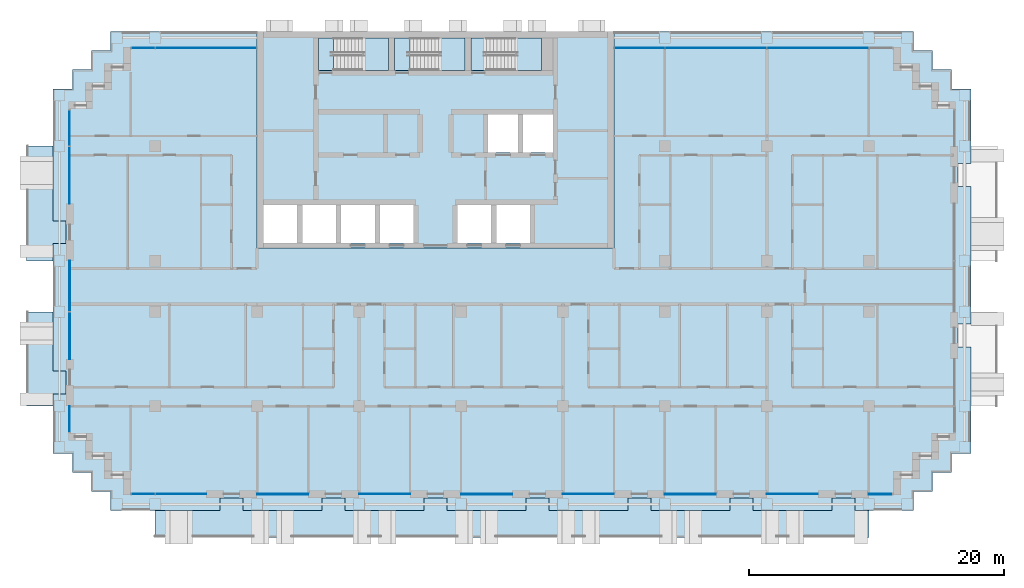
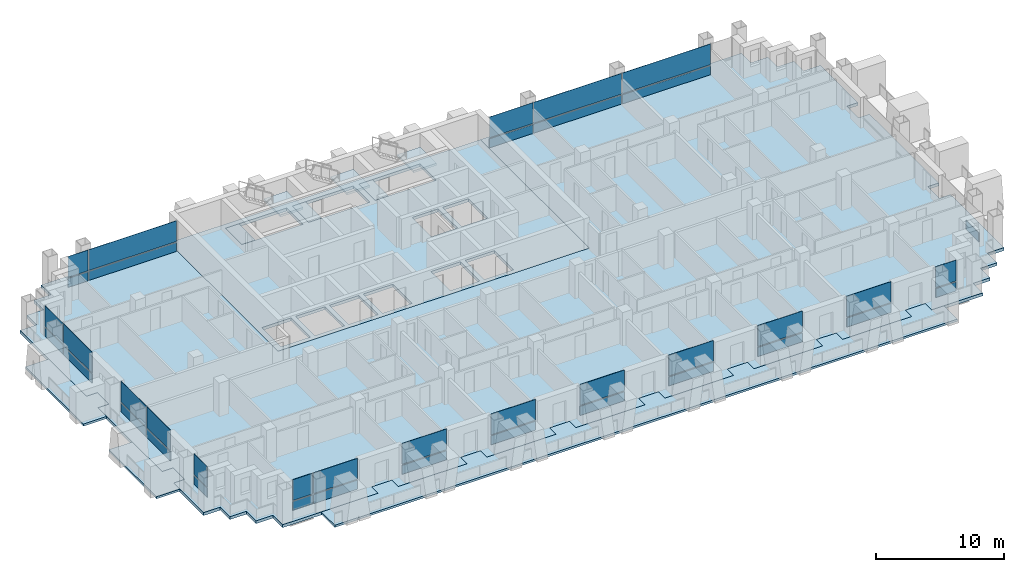
# One storey, part 7 of 18: 39 plates, 11 slabs, 17 elements without a shape of their own.
"""IFC4 building model written with IfcOpenShell, lengths in metres."""

import ifcopenshell
import ifcopenshell.guid

model = None  # the IFC model being written
_history = None  # IfcOwnerHistory: only IFC2X3 demands one
_inside = {}  # id of a spatial element -> (the spatial element, [elements in it])
_under = {}  # id of a project, library or spatial element -> (it, [spatial elements below it])
_declared = {}  # id of a project -> (the project, [libraries it declares])
_typed = {}  # id of a type object -> (the type object, [elements of that type])
_made_of = {}  # id of a material, layer set ... -> (it, [elements and type objects made of it])


def new_model(schema):
    """Start an empty IFC model of exactly this schema.

    Asked for "IFC4X3", IfcOpenShell would pick the latest addendum, in which some entities
    have other attributes; the version numbers below select the first issue.
    IFC2X3 requires an IfcOwnerHistory on every rooted entity: one is made here for all.
    """
    global model, _history
    if schema == "IFC4X3":
        model = ifcopenshell.file(schema_version=(4, 3, 0, 0))
    else:
        model = ifcopenshell.file(schema=schema)
    _inside.clear()
    _under.clear()
    _declared.clear()
    _typed.clear()
    _made_of.clear()
    _history = None
    if model.schema == "IFC2X3":
        org = make("IfcOrganization", Name="unknown")
        user = make(
            "IfcPersonAndOrganization",
            ThePerson=make("IfcPerson", FamilyName="unknown"),
            TheOrganization=org,
        )
        app = make(
            "IfcApplication",
            ApplicationDeveloper=org,
            Version="unknown",
            ApplicationFullName="unknown",
            ApplicationIdentifier="unknown",
        )
        _history = make(
            "IfcOwnerHistory",
            OwningUser=user,
            OwningApplication=app,
            ChangeAction="ADDED",
            CreationDate=0,
        )
    return model


def make(cls, **values):
    """One entity of the class cls with the attributes given. An attribute that is None is left unset."""
    return model.create_entity(
        cls, **{name: value for name, value in values.items() if value is not None}
    )


def rooted(cls, **values):
    """An entity with a GlobalId (a new one), such as an element, a storey or a relation."""
    return make(cls, GlobalId=ifcopenshell.guid.new(), OwnerHistory=_history, **values)


def si_unit(unit_type, name, prefix=None):
    """IfcSIUnit, for example si_unit("LENGTHUNIT", "METRE", prefix="MILLI")."""
    return make("IfcSIUnit", UnitType=unit_type, Prefix=prefix, Name=name)


def assignment(units):
    """IfcUnitAssignment: the units of a project."""
    return None if units is None else make("IfcUnitAssignment", Units=units)


def point(xyz):
    """IfcCartesianPoint."""
    return None if xyz is None else make("IfcCartesianPoint", Coordinates=xyz)


def direction(xyz):
    """IfcDirection."""
    return None if xyz is None else make("IfcDirection", DirectionRatios=xyz)


def frame(location, z_axis=None, x_axis=None):
    """IfcAxis2Placement3D, a coordinate frame: its origin and axes. An axis left out is left unset."""
    return make(
        "IfcAxis2Placement3D",
        Location=point(location),
        Axis=direction(z_axis),
        RefDirection=direction(x_axis),
    )


def frame_2d(location, x_axis=None):
    """IfcAxis2Placement2D, a coordinate frame in the plane: its origin and x axis."""
    return make(
        "IfcAxis2Placement2D", Location=point(location), RefDirection=direction(x_axis)
    )


def origin():
    """The frame at (0, 0, 0) with its axes left unset."""
    return frame((0.0, 0.0, 0.0))


def origin_2d():
    """The frame at (0, 0) in the plane with its x axis left unset."""
    return frame_2d((0.0, 0.0))


def place(relative_to, where):
    """IfcLocalPlacement: puts the frame where relative to a parent placement (None: the world)."""
    return make(
        "IfcLocalPlacement", PlacementRelTo=relative_to, RelativePlacement=where
    )


def context(
    kind, dimensions, precision=None, world=None, true_north=None, identifier=None
):
    """IfcGeometricRepresentationContext, for example the 3D "Model" context."""
    return make(
        "IfcGeometricRepresentationContext",
        ContextIdentifier=identifier,
        ContextType=kind,
        CoordinateSpaceDimension=dimensions,
        Precision=precision,
        WorldCoordinateSystem=world,
        TrueNorth=true_north,
    )


def subcontext(parent, identifier, kind, view, scale=None):
    """IfcGeometricRepresentationSubContext, for example "Body" below "Model"."""
    return make(
        "IfcGeometricRepresentationSubContext",
        ContextIdentifier=identifier,
        ContextType=kind,
        ParentContext=parent,
        TargetScale=scale,
        TargetView=view,
    )


def project(units=None, contexts=None):
    """IfcProject with its units and contexts."""
    return rooted(
        "IfcProject",
        Name="project",
        RepresentationContexts=contexts,
        UnitsInContext=assignment(units),
    )


def spatial(cls, under=None, at=None, **own):
    """A site, building, storey or space (cls), placed at a placement, below another one or the project."""
    s = rooted(cls, ObjectPlacement=at, **own)
    if under is not None:
        _under.setdefault(under.id(), (under, []))[1].append(s)
    return s


def polyline(points):
    """IfcPolyline through the points."""
    return make("IfcPolyline", Points=[point(p) for p in points])


def profile(cls, at=None, kind="AREA", **sizes):
    """A parametric profile (cls). Its sizes go by their IFC names, for example OverallWidth=200.0."""
    return make(cls, ProfileType=kind, Position=at, **sizes)


def rectangle(**sizes):
    """IfcRectangleProfileDef."""
    return profile("IfcRectangleProfileDef", **sizes)


def outline(outer, holes=None, kind="AREA"):
    """IfcArbitraryClosedProfileDef: a profile drawn as a closed curve; with holes, ...WithVoids."""
    if holes is None:
        return make("IfcArbitraryClosedProfileDef", ProfileType=kind, OuterCurve=outer)
    return make(
        "IfcArbitraryProfileDefWithVoids",
        ProfileType=kind,
        OuterCurve=outer,
        InnerCurves=holes,
    )


def extrude(swept, where, along, depth):
    """IfcExtrudedAreaSolid: the profile swept, set in the frame where, extruded along a direction by depth."""
    return make(
        "IfcExtrudedAreaSolid",
        SweptArea=swept,
        Position=where,
        ExtrudedDirection=direction(along),
        Depth=depth,
    )


def shape(context_of_items, identifier, shape_type, items):
    """IfcShapeRepresentation: the items that make up one representation, for example the "Body"."""
    return make(
        "IfcShapeRepresentation",
        ContextOfItems=context_of_items,
        RepresentationIdentifier=identifier,
        RepresentationType=shape_type,
        Items=items,
    )


def material(Name=None, Category=None):
    """IfcMaterial."""
    return make("IfcMaterial", Name=Name, Category=Category)


def layer(
    of_material, thickness, ventilated=None, Name=None, Category=None, Priority=None
):
    """IfcMaterialLayer: one layer of a wall or slab, of a material (None: an air gap)."""
    return make(
        "IfcMaterialLayer",
        Material=of_material,
        LayerThickness=thickness,
        IsVentilated=ventilated,
        Name=Name,
        Category=Category,
        Priority=Priority,
    )


def layer_set(layers, Name=None):
    """IfcMaterialLayerSet."""
    return make("IfcMaterialLayerSet", MaterialLayers=layers, LayerSetName=Name)


def made_of(thing, what):
    """Note that an element or type object is made of a material, layer set ...; save() writes the relation."""
    if what is not None:
        _made_of.setdefault(what.id(), (what, []))[1].append(thing)
    return thing


def type_object(cls, material=None, **own):
    """A type object (cls), such as IfcWallType, which elements share."""
    return made_of(rooted(cls, **own), material)


def element(
    cls,
    number,
    at=None,
    inside=None,
    cuts=None,
    type_object=None,
    material=None,
    context=None,
    identifier="Body",
    shape_type=None,
    held_by="IfcProductDefinitionShape",
    body=None,
    shapes=None,
    **own,
):
    """One element of the class cls, such as IfcWall. Its Tag is "e" and its number.

    at: its placement. inside: the storey or other place that contains it. cuts: it is an
    opening in that element (IfcRelVoidsElement). A single representation is given by context,
    identifier, shape_type and body (its items); several are given by shapes. held_by: the class
    of the entity that holds the representations. save() writes the other relations.
    """
    e = rooted(cls, Tag="e%d" % number, ObjectPlacement=at, **own)
    if body is not None:
        shapes = [shape(context, identifier, shape_type, body)]
    if shapes is not None:
        e.Representation = make(held_by, Representations=shapes)
    if inside is not None:
        _inside.setdefault(inside.id(), (inside, []))[1].append(e)
    if cuts is not None:
        rooted(
            "IfcRelVoidsElement", RelatingBuildingElement=cuts, RelatedOpeningElement=e
        )
    if type_object is not None:
        _typed.setdefault(type_object.id(), (type_object, []))[1].append(e)
    return made_of(e, material)


def aggregate(whole, parts):
    """IfcRelAggregates: a whole, such as a stair, and the parts it consists of."""
    return rooted("IfcRelAggregates", RelatingObject=whole, RelatedObjects=parts)


def save(model, path):
    """Write the relations noted so far, then the file.

    IfcRelAggregates (storeys below a building ...), IfcRelContainedInSpatialStructure (elements
    in a storey), IfcRelDefinesByType, IfcRelAssociatesMaterial and IfcRelDeclares: one each for
    every whole, place, type object, material and project.
    """
    for whole, parts in _under.values():
        aggregate(whole, parts)
    for where, things in _inside.values():
        rooted(
            "IfcRelContainedInSpatialStructure",
            RelatedElements=things,
            RelatingStructure=where,
        )
    for kind, things in _typed.values():
        rooted("IfcRelDefinesByType", RelatedObjects=things, RelatingType=kind)
    for what, things in _made_of.values():
        rooted("IfcRelAssociatesMaterial", RelatedObjects=things, RelatingMaterial=what)
    for by, libraries in _declared.values():
        rooted("IfcRelDeclares", RelatingContext=by, RelatedDefinitions=libraries)
    model.write(path)


model = new_model("IFC4")

# Units and contexts
model_context = context("Model", 3, precision=1e-05, world=origin(), true_north=direction((0.0, 1.0)))
body_context = subcontext(model_context, "Body", "Model", "MODEL_VIEW")
ifc_project = project(units=[si_unit("LENGTHUNIT", "METRE"), si_unit("AREAUNIT", "SQUARE_METRE"), si_unit("VOLUMEUNIT", "CUBIC_METRE"), si_unit("PLANEANGLEUNIT", "RADIAN"), si_unit("MASSUNIT", "GRAM", prefix="KILO")], contexts=[model_context])

# Site, building, storey
site_placement = place(None, origin())
site = spatial("IfcSite", under=ifc_project, at=site_placement, CompositionType="ELEMENT")
building_placement = place(site_placement, origin())
building = spatial("IfcBuilding", under=site, at=building_placement, Name="Vidyagriha Tower", CompositionType="ELEMENT")
storey_placement = place(building_placement, frame((0.0, 0.0, 83.89990234375)))
storey = spatial("IfcBuildingStorey", under=building, at=storey_placement, Name="L21", CompositionType="ELEMENT", Elevation=83.89990234375)

# Curtain wall, plate
ifc_material_1 = material(Name="Aluminium and glass curtain wall", Category="aluminium")
curtain_wall_type = type_object("IfcCurtainWallType", Name="Dwelling skin unitised curtain wall", PredefinedType="USERDEFINED", material=ifc_material_1)
curtain_wall_1_placement = place(storey_placement, origin())
curtain_wall_1 = element("IfcCurtainWall", 1, at=curtain_wall_1_placement, inside=storey, type_object=curtain_wall_type, Name="CW1 dwelling skin", ObjectType="UNITISED", PredefinedType="USERDEFINED")
ifc_material_2 = material(Name="Glass dark ceramic-fritted spandrel", Category="glass")
ifc_layer_1 = layer(ifc_material_2, 0.0400390625)
ifc_layer_set_1 = layer_set([ifc_layer_1], Name="Glass dark ceramic-fritted spandrel")
plate_type_1 = type_object("IfcPlateType", Name="Ceramic-fritted spandrel panel", PredefinedType="CURTAIN_PANEL", material=ifc_layer_set_1)
plate_1_placement = place(storey_placement, frame((22.0, 18.699951171875, 0.0), z_axis=(0.0, 0.0, 1.0), x_axis=(-1.0, 0.0, 0.0)))
plate_1 = element("IfcPlate", 2, at=plate_1_placement, type_object=plate_type_1, Name="CW1 panel 3.1", PredefinedType="CURTAIN_PANEL", context=body_context, shape_type="SweptSolid", body=[
    extrude(rectangle(XDim=7.929931640625, YDim=0.0400390625, at=origin_2d()), origin(), (0.0, 0.0, 1.0), 0.85009765625),
])

curtain_wall_2_placement = place(storey_placement, origin())
curtain_wall_2 = element("IfcCurtainWall", 3, at=curtain_wall_2_placement, inside=storey, type_object=curtain_wall_type, Name="CW1 dwelling skin", ObjectType="UNITISED", PredefinedType="USERDEFINED")
plate_2_placement = place(storey_placement, frame((-18.017578125, 18.699951171875, 0.0), z_axis=(0.0, 0.0, 1.0), x_axis=(-1.0, 0.0, 0.0)))
plate_2 = element("IfcPlate", 4, at=plate_2_placement, type_object=plate_type_1, Name="CW1 panel 1.1", PredefinedType="CURTAIN_PANEL", context=body_context, shape_type="SweptSolid", body=[
    extrude(rectangle(XDim=7.89501953125, YDim=0.0400390625, at=origin_2d()), origin(), (0.0, 0.0, 1.0), 0.85009765625),
])

# Curtain wall, plates
curtain_wall_3_placement = place(storey_placement, origin())
curtain_wall_3 = element("IfcCurtainWall", 5, at=curtain_wall_3_placement, inside=storey, type_object=curtain_wall_type, Name="CW1 dwelling skin", ObjectType="UNITISED", PredefinedType="USERDEFINED")
plate_3_placement = place(storey_placement, frame((-28.699951171875, 12.4326171875, 0.0), z_axis=(0.0, 0.0, 1.0), x_axis=(0.0, -1.0, 0.0)))
plate_3 = element("IfcPlate", 6, at=plate_3_placement, type_object=plate_type_1, Name="CW1 panel 1.1", PredefinedType="CURTAIN_PANEL", context=body_context, shape_type="SweptSolid", body=[
    extrude(rectangle(XDim=2.794921875, YDim=0.0400390625, at=origin_2d()), origin(), (0.0, 0.0, 1.0), 0.85009765625),
])
plate_4_placement = place(storey_placement, frame((-28.699951171875, 8.732421875, 0.0), z_axis=(0.0, 0.0, 1.0), x_axis=(0.0, -1.0, 0.0)))
plate_4 = element("IfcPlate", 7, at=plate_4_placement, type_object=plate_type_1, Name="CW1 panel 2.1", PredefinedType="CURTAIN_PANEL", context=body_context, shape_type="SweptSolid", body=[
    extrude(rectangle(XDim=4.465087890625, YDim=0.0400390625, at=origin_2d()), origin(), (0.0, 0.0, 1.0), 0.85009765625),
])

# Curtain wall, plate
curtain_wall_4_placement = place(storey_placement, origin())
curtain_wall_4 = element("IfcCurtainWall", 8, at=curtain_wall_4_placement, inside=storey, type_object=curtain_wall_type, Name="CW1 dwelling skin", ObjectType="UNITISED", PredefinedType="USERDEFINED")
plate_5_placement = place(storey_placement, frame((-28.699951171875, -10.4150390625, 0.0), z_axis=(0.0, 0.0, 1.0), x_axis=(0.0, -1.0, 0.0)))
plate_5 = element("IfcPlate", 9, at=plate_5_placement, type_object=plate_type_1, Name="CW1 panel 1.1", PredefinedType="CURTAIN_PANEL", context=body_context, shape_type="SweptSolid", body=[
    extrude(rectangle(XDim=2.030029296875, YDim=0.0400390625, at=origin_2d()), origin(), (0.0, 0.0, 1.0), 0.85009765625),
])

# Curtain wall, plates
curtain_wall_5_placement = place(storey_placement, origin())
curtain_wall_5 = element("IfcCurtainWall", 10, at=curtain_wall_5_placement, inside=storey, type_object=curtain_wall_type, Name="CW1 dwelling skin", ObjectType="UNITISED", PredefinedType="USERDEFINED")
plate_6_placement = place(storey_placement, frame((-22.9326171875, -16.300048828125, 0.0)))
plate_6 = element("IfcPlate", 11, at=plate_6_placement, type_object=plate_type_1, Name="CW1 panel 1.1", PredefinedType="CURTAIN_PANEL", context=body_context, shape_type="SweptSolid", body=[
    extrude(rectangle(XDim=1.794921875, YDim=0.0400390625, at=origin_2d()), origin(), (0.0, 0.0, 1.0), 0.85009765625),
])
plate_7_placement = place(storey_placement, frame((-19.982421875, -16.300048828125, 0.0)))
plate_7 = element("IfcPlate", 12, at=plate_7_placement, type_object=plate_type_1, Name="CW1 panel 2.1", PredefinedType="CURTAIN_PANEL", context=body_context, shape_type="SweptSolid", body=[
    extrude(rectangle(XDim=3.965087890625, YDim=0.0400390625, at=origin_2d()), origin(), (0.0, 0.0, 1.0), 0.85009765625),
])

# Curtain wall, plate
curtain_wall_6_placement = place(storey_placement, origin())
curtain_wall_6 = element("IfcCurtainWall", 13, at=curtain_wall_6_placement, inside=storey, type_object=curtain_wall_type, Name="CW1 dwelling skin", ObjectType="UNITISED", PredefinedType="USERDEFINED")
plate_8_placement = place(storey_placement, frame((-4.0, -16.300048828125, 0.0)))
plate_8 = element("IfcPlate", 14, at=plate_8_placement, type_object=plate_type_1, Name="CW1 panel 1.1", PredefinedType="CURTAIN_PANEL", context=body_context, shape_type="SweptSolid", body=[
    extrude(rectangle(XDim=4.0, YDim=0.0400390625, at=origin_2d()), origin(), (0.0, 0.0, 1.0), 0.85009765625),
])

curtain_wall_7_placement = place(storey_placement, origin())
curtain_wall_7 = element("IfcCurtainWall", 15, at=curtain_wall_7_placement, inside=storey, type_object=curtain_wall_type, Name="CW1 dwelling skin", ObjectType="UNITISED", PredefinedType="USERDEFINED")
plate_9_placement = place(storey_placement, frame((12.0, -16.300048828125, 0.0)))
plate_9 = element("IfcPlate", 16, at=plate_9_placement, type_object=plate_type_1, Name="CW1 panel 1.1", PredefinedType="CURTAIN_PANEL", context=body_context, shape_type="SweptSolid", body=[
    extrude(rectangle(XDim=4.0, YDim=0.0400390625, at=origin_2d()), origin(), (0.0, 0.0, 1.0), 0.85009765625),
])

curtain_wall_8_placement = place(storey_placement, origin())
curtain_wall_8 = element("IfcCurtainWall", 17, at=curtain_wall_8_placement, inside=storey, type_object=curtain_wall_type, Name="CW1 dwelling skin", ObjectType="UNITISED", PredefinedType="USERDEFINED")
plate_10_placement = place(storey_placement, frame((28.0, -16.300048828125, 0.0)))
plate_10 = element("IfcPlate", 18, at=plate_10_placement, type_object=plate_type_1, Name="CW1 panel 1.1", PredefinedType="CURTAIN_PANEL", context=body_context, shape_type="SweptSolid", body=[
    extrude(rectangle(XDim=4.0, YDim=0.0400390625, at=origin_2d()), origin(), (0.0, 0.0, 1.0), 0.85009765625),
])

curtain_wall_9_placement = place(storey_placement, origin())
curtain_wall_9 = element("IfcCurtainWall", 19, at=curtain_wall_9_placement, inside=storey, type_object=curtain_wall_type, Name="CW1 dwelling skin", ObjectType="UNITISED", PredefinedType="USERDEFINED")
plate_11_placement = place(storey_placement, frame((40.699951171875, -10.4326171875, 0.0), z_axis=(0.0, 0.0, 1.0), x_axis=(0.0, 1.0, 0.0)))
plate_11 = element("IfcPlate", 20, at=plate_11_placement, type_object=plate_type_1, Name="CW1 panel 1.1", PredefinedType="CURTAIN_PANEL", context=body_context, shape_type="SweptSolid", body=[
    extrude(rectangle(XDim=1.9951171875, YDim=0.0400390625, at=origin_2d()), origin(), (0.0, 0.0, 1.0), 0.85009765625),
])
aggregate(curtain_wall_9, [plate_11])

# Slab
ifc_material_3 = material(Name="Concrete C60/75", Category="concrete")
ifc_layer_2 = layer(ifc_material_3, 0.280029296875)
ifc_layer_set_2 = layer_set([ifc_layer_2], Name="Concrete C60/75")
slab_type_1 = type_object("IfcSlabType", Name="Core floor slab 280 mm", PredefinedType="FLOOR", material=ifc_layer_set_2)
slab_1_placement = place(storey_placement, frame((0.0, 0.0, -0.27978515625)))
element("IfcSlab", 21, at=slab_1_placement, inside=storey, type_object=slab_type_1, Name="L21 core floor 1", PredefinedType="FLOOR", context=body_context, shape_type="SweptSolid", body=[
    extrude(outline(polyline([(-14.0, 3.0), (-14.0, 20.0), (14.0, 20.0), (14.0, 3.0), (-14.0, 3.0)]), holes=[polyline([(9.199951171875, 13.5), (6.86669921875, 13.5), (6.86669921875, 10.5), (9.199951171875, 10.5), (9.199951171875, 13.5)]), polyline([(4.0, 19.5), (2.800048828125, 19.5), (2.800048828125, 16.949951171875), (4.0, 16.949951171875), (8.300048828125, 16.949951171875), (8.300048828125, 19.5), (4.0, 19.5)]), polyline([(7.4111328125, 6.39990234375), (4.7666015625, 6.39990234375), (4.7666015625, 3.39990234375), (7.4111328125, 3.39990234375), (7.4111328125, 6.39990234375)]), polyline([(6.466796875, 13.5), (4.13330078125, 13.5), (4.13330078125, 10.5), (6.466796875, 10.5), (6.466796875, 13.5)]), polyline([(1.72216796875, 6.39990234375), (1.72216796875, 3.39990234375), (4.36669921875, 3.39990234375), (4.36669921875, 6.39990234375), (1.72216796875, 6.39990234375)]), polyline([(-2.0, 16.949951171875), (2.300048828125, 16.949951171875), (2.300048828125, 19.5), (-2.0, 19.5), (-3.199951171875, 19.5), (-3.199951171875, 16.949951171875), (-2.0, 16.949951171875)]), polyline([(-1.72216796875, 6.39990234375), (-4.36669921875, 6.39990234375), (-4.36669921875, 3.39990234375), (-1.72216796875, 3.39990234375), (-1.72216796875, 6.39990234375)]), polyline([(-8.0, 19.5), (-9.199951171875, 19.5), (-9.199951171875, 16.949951171875), (-8.0, 16.949951171875), (-3.699951171875, 16.949951171875), (-3.699951171875, 19.5), (-8.0, 19.5)]), polyline([(-4.7666015625, 6.39990234375), (-7.4111328125, 6.39990234375), (-7.4111328125, 3.39990234375), (-4.7666015625, 3.39990234375), (-4.7666015625, 6.39990234375)]), polyline([(-7.81103515625, 6.39990234375), (-10.45556640625, 6.39990234375), (-10.45556640625, 3.39990234375), (-7.81103515625, 3.39990234375), (-7.81103515625, 6.39990234375)]), polyline([(-13.5, 6.39990234375), (-13.5, 3.39990234375), (-10.855712890625, 3.39990234375), (-10.855712890625, 6.39990234375), (-13.5, 6.39990234375)])]), origin(), (0.0, 0.0, 1.0), 0.27978515625),
])

# Plate
ifc_material_4 = material(Name="Glass dark ceramic-fritted", Category="glass")
ifc_layer_3 = layer(ifc_material_4, 0.028076171875)
ifc_layer_set_3 = layer_set([ifc_layer_3], Name="Glass dark ceramic-fritted")
plate_type_2 = type_object("IfcPlateType", Name="Dark ceramic-fritted vision glass panel", PredefinedType="CURTAIN_PANEL", material=ifc_layer_set_3)
plate_12_placement = place(storey_placement, frame((30.0, 18.699951171875, 0.9501953125), z_axis=(0.0, 0.0, 1.0), x_axis=(-1.0, 0.0, 0.0)))
plate_12 = element("IfcPlate", 22, at=plate_12_placement, type_object=plate_type_2, Name="CW1 panel 2.2", PredefinedType="CURTAIN_PANEL", context=body_context, shape_type="SweptSolid", body=[
    extrude(rectangle(XDim=7.929931640625, YDim=0.028076171875, at=origin_2d()), origin(), (0.0, 0.0, 1.0), 1.969970703125),
])

plate_13_placement = place(storey_placement, frame((22.0, 18.699951171875, 0.9501953125), z_axis=(0.0, 0.0, 1.0), x_axis=(-1.0, 0.0, 0.0)))
plate_13 = element("IfcPlate", 23, at=plate_13_placement, type_object=plate_type_2, Name="CW1 panel 3.2", PredefinedType="CURTAIN_PANEL", context=body_context, shape_type="SweptSolid", body=[
    extrude(rectangle(XDim=7.929931640625, YDim=0.028076171875, at=origin_2d()), origin(), (0.0, 0.0, 1.0), 1.969970703125),
])

plate_14_placement = place(storey_placement, frame((16.017578125, 18.699951171875, 0.9501953125), z_axis=(0.0, 0.0, 1.0), x_axis=(-1.0, 0.0, 0.0)))
plate_14 = element("IfcPlate", 24, at=plate_14_placement, type_object=plate_type_2, Name="CW1 panel 4.2", PredefinedType="CURTAIN_PANEL", context=body_context, shape_type="SweptSolid", body=[
    extrude(rectangle(XDim=3.89501953125, YDim=0.028076171875, at=origin_2d()), origin(), (0.0, 0.0, 1.0), 1.969970703125),
])

plate_15_placement = place(storey_placement, frame((-18.017578125, 18.699951171875, 0.9501953125), z_axis=(0.0, 0.0, 1.0), x_axis=(-1.0, 0.0, 0.0)))
plate_15 = element("IfcPlate", 25, at=plate_15_placement, type_object=plate_type_2, Name="CW1 panel 1.2", PredefinedType="CURTAIN_PANEL", context=body_context, shape_type="SweptSolid", body=[
    extrude(rectangle(XDim=7.89501953125, YDim=0.028076171875, at=origin_2d()), origin(), (0.0, 0.0, 1.0), 1.969970703125),
])

plate_16_placement = place(storey_placement, frame((-22.9326171875, 18.699951171875, 0.9501953125), z_axis=(0.0, 0.0, 1.0), x_axis=(-1.0, 0.0, 0.0)))
plate_16 = element("IfcPlate", 26, at=plate_16_placement, type_object=plate_type_2, Name="CW1 panel 2.2", PredefinedType="CURTAIN_PANEL", context=body_context, shape_type="SweptSolid", body=[
    extrude(rectangle(XDim=1.794921875, YDim=0.028076171875, at=origin_2d()), origin(), (0.0, 0.0, 1.0), 1.969970703125),
])

plate_17_placement = place(storey_placement, frame((-28.699951171875, 12.4326171875, 0.9501953125), z_axis=(0.0, 0.0, 1.0), x_axis=(0.0, -1.0, 0.0)))
plate_17 = element("IfcPlate", 27, at=plate_17_placement, type_object=plate_type_2, Name="CW1 panel 1.2", PredefinedType="CURTAIN_PANEL", context=body_context, shape_type="SweptSolid", body=[
    extrude(rectangle(XDim=2.794921875, YDim=0.028076171875, at=origin_2d()), origin(), (0.0, 0.0, 1.0), 1.969970703125),
])

plate_18_placement = place(storey_placement, frame((-28.699951171875, 8.732421875, 0.9501953125), z_axis=(0.0, 0.0, 1.0), x_axis=(0.0, -1.0, 0.0)))
plate_18 = element("IfcPlate", 28, at=plate_18_placement, type_object=plate_type_2, Name="CW1 panel 2.2", PredefinedType="CURTAIN_PANEL", context=body_context, shape_type="SweptSolid", body=[
    extrude(rectangle(XDim=4.465087890625, YDim=0.028076171875, at=origin_2d()), origin(), (0.0, 0.0, 1.0), 1.969970703125),
])

aggregate(curtain_wall_3, [plate_3, plate_17, plate_4, plate_18])

# Curtain wall, plates
curtain_wall_10_placement = place(storey_placement, origin())
curtain_wall_10 = element("IfcCurtainWall", 29, at=curtain_wall_10_placement, inside=storey, type_object=curtain_wall_type, Name="CW1 dwelling skin", ObjectType="UNITISED", PredefinedType="USERDEFINED")
plate_19_placement = place(storey_placement, frame((-28.699951171875, 0.017578125, 0.9501953125), z_axis=(0.0, 0.0, 1.0), x_axis=(0.0, -1.0, 0.0)))
plate_19 = element("IfcPlate", 30, at=plate_19_placement, type_object=plate_type_2, Name="CW1 panel 1.2", PredefinedType="CURTAIN_PANEL", context=body_context, shape_type="SweptSolid", body=[
    extrude(rectangle(XDim=3.965087890625, YDim=0.028076171875, at=origin_2d()), origin(), (0.0, 0.0, 1.0), 1.969970703125),
])
plate_20_placement = place(storey_placement, frame((-28.699951171875, -3.867431640625, 0.9501953125), z_axis=(0.0, 0.0, 1.0), x_axis=(0.0, -1.0, 0.0)))
plate_20 = element("IfcPlate", 31, at=plate_20_placement, type_object=plate_type_2, Name="CW1 panel 2.2", PredefinedType="CURTAIN_PANEL", context=body_context, shape_type="SweptSolid", body=[
    extrude(rectangle(XDim=3.6650390625, YDim=0.028076171875, at=origin_2d()), origin(), (0.0, 0.0, 1.0), 1.969970703125),
])

# Plate
plate_21_placement = place(storey_placement, frame((-28.699951171875, -10.4150390625, 0.9501953125), z_axis=(0.0, 0.0, 1.0), x_axis=(0.0, -1.0, 0.0)))
plate_21 = element("IfcPlate", 32, at=plate_21_placement, type_object=plate_type_2, Name="CW1 panel 1.2", PredefinedType="CURTAIN_PANEL", context=body_context, shape_type="SweptSolid", body=[
    extrude(rectangle(XDim=2.030029296875, YDim=0.028076171875, at=origin_2d()), origin(), (0.0, 0.0, 1.0), 1.969970703125),
])

aggregate(curtain_wall_4, [plate_5, plate_21])

plate_22_placement = place(storey_placement, frame((-22.9326171875, -16.300048828125, 0.9501953125)))
plate_22 = element("IfcPlate", 33, at=plate_22_placement, type_object=plate_type_2, Name="CW1 panel 1.2", PredefinedType="CURTAIN_PANEL", context=body_context, shape_type="SweptSolid", body=[
    extrude(rectangle(XDim=1.794921875, YDim=0.028076171875, at=origin_2d()), origin(), (0.0, 0.0, 1.0), 1.969970703125),
])

plate_23_placement = place(storey_placement, frame((-19.982421875, -16.300048828125, 0.9501953125)))
plate_23 = element("IfcPlate", 34, at=plate_23_placement, type_object=plate_type_2, Name="CW1 panel 2.2", PredefinedType="CURTAIN_PANEL", context=body_context, shape_type="SweptSolid", body=[
    extrude(rectangle(XDim=3.965087890625, YDim=0.028076171875, at=origin_2d()), origin(), (0.0, 0.0, 1.0), 1.969970703125),
])

aggregate(curtain_wall_5, [plate_6, plate_22, plate_7, plate_23])

# Curtain wall, plate
curtain_wall_11_placement = place(storey_placement, origin())
curtain_wall_11 = element("IfcCurtainWall", 35, at=curtain_wall_11_placement, inside=storey, type_object=curtain_wall_type, Name="CW1 dwelling skin", ObjectType="UNITISED", PredefinedType="USERDEFINED")
plate_24_placement = place(storey_placement, frame((-12.0, -16.300048828125, 0.9501953125)))
plate_24 = element("IfcPlate", 36, at=plate_24_placement, type_object=plate_type_2, Name="CW1 panel 1.2", PredefinedType="CURTAIN_PANEL", context=body_context, shape_type="SweptSolid", body=[
    extrude(rectangle(XDim=4.0, YDim=0.028076171875, at=origin_2d()), origin(), (0.0, 0.0, 1.0), 1.969970703125),
])

# Plate
plate_25_placement = place(storey_placement, frame((-4.0, -16.300048828125, 0.9501953125)))
plate_25 = element("IfcPlate", 37, at=plate_25_placement, type_object=plate_type_2, Name="CW1 panel 1.2", PredefinedType="CURTAIN_PANEL", context=body_context, shape_type="SweptSolid", body=[
    extrude(rectangle(XDim=4.0, YDim=0.028076171875, at=origin_2d()), origin(), (0.0, 0.0, 1.0), 1.969970703125),
])

aggregate(curtain_wall_6, [plate_8, plate_25])

# Curtain wall, plate
curtain_wall_12_placement = place(storey_placement, origin())
curtain_wall_12 = element("IfcCurtainWall", 38, at=curtain_wall_12_placement, inside=storey, type_object=curtain_wall_type, Name="CW1 dwelling skin", ObjectType="UNITISED", PredefinedType="USERDEFINED")
plate_26_placement = place(storey_placement, frame((4.0, -16.300048828125, 0.9501953125)))
plate_26 = element("IfcPlate", 39, at=plate_26_placement, type_object=plate_type_2, Name="CW1 panel 1.2", PredefinedType="CURTAIN_PANEL", context=body_context, shape_type="SweptSolid", body=[
    extrude(rectangle(XDim=4.0, YDim=0.028076171875, at=origin_2d()), origin(), (0.0, 0.0, 1.0), 1.969970703125),
])

# Plate
plate_27_placement = place(storey_placement, frame((12.0, -16.300048828125, 0.9501953125)))
plate_27 = element("IfcPlate", 40, at=plate_27_placement, type_object=plate_type_2, Name="CW1 panel 1.2", PredefinedType="CURTAIN_PANEL", context=body_context, shape_type="SweptSolid", body=[
    extrude(rectangle(XDim=4.0, YDim=0.028076171875, at=origin_2d()), origin(), (0.0, 0.0, 1.0), 1.969970703125),
])

aggregate(curtain_wall_7, [plate_9, plate_27])

# Curtain wall, plate
curtain_wall_13_placement = place(storey_placement, origin())
curtain_wall_13 = element("IfcCurtainWall", 41, at=curtain_wall_13_placement, inside=storey, type_object=curtain_wall_type, Name="CW1 dwelling skin", ObjectType="UNITISED", PredefinedType="USERDEFINED")
plate_28_placement = place(storey_placement, frame((20.0, -16.300048828125, 0.9501953125)))
plate_28 = element("IfcPlate", 42, at=plate_28_placement, type_object=plate_type_2, Name="CW1 panel 1.2", PredefinedType="CURTAIN_PANEL", context=body_context, shape_type="SweptSolid", body=[
    extrude(rectangle(XDim=4.0, YDim=0.028076171875, at=origin_2d()), origin(), (0.0, 0.0, 1.0), 1.969970703125),
])

# Plate
plate_29_placement = place(storey_placement, frame((28.0, -16.300048828125, 0.9501953125)))
plate_29 = element("IfcPlate", 43, at=plate_29_placement, type_object=plate_type_2, Name="CW1 panel 1.2", PredefinedType="CURTAIN_PANEL", context=body_context, shape_type="SweptSolid", body=[
    extrude(rectangle(XDim=4.0, YDim=0.028076171875, at=origin_2d()), origin(), (0.0, 0.0, 1.0), 1.969970703125),
])

aggregate(curtain_wall_8, [plate_10, plate_29])

# Curtain wall, plate
curtain_wall_14_placement = place(storey_placement, origin())
curtain_wall_14 = element("IfcCurtainWall", 44, at=curtain_wall_14_placement, inside=storey, type_object=curtain_wall_type, Name="CW1 dwelling skin", ObjectType="UNITISED", PredefinedType="USERDEFINED")
plate_30_placement = place(storey_placement, frame((34.9150390625, -16.300048828125, 0.9501953125)))
plate_30 = element("IfcPlate", 45, at=plate_30_placement, type_object=plate_type_2, Name="CW1 panel 1.2", PredefinedType="CURTAIN_PANEL", context=body_context, shape_type="SweptSolid", body=[
    extrude(rectangle(XDim=1.830078125, YDim=0.028076171875, at=origin_2d()), origin(), (0.0, 0.0, 1.0), 1.969970703125),
])

# Slabs
ifc_material_5 = material(Name="Concrete C40/50", Category="concrete")
ifc_layer_4 = layer(ifc_material_5, 0.280029296875)
ifc_layer_set_4 = layer_set([ifc_layer_4], Name="Concrete C40/50")
slab_type_2 = type_object("IfcSlabType", Name="Exit stair floor landing 280 mm", PredefinedType="LANDING", material=ifc_layer_set_4)
slab_2_placement = place(storey_placement, frame((0.0, 0.0, -0.27978515625)))
element("IfcSlab", 46, at=slab_2_placement, inside=storey, type_object=slab_type_2, Name="ST1 floor landing L21", PredefinedType="LANDING", context=body_context, shape_type="SweptSolid", body=[
    extrude(outline(polyline([(-9.199951171875, 16.949951171875), (-8.0, 16.949951171875), (-8.0, 19.5), (-9.199951171875, 19.5), (-9.199951171875, 16.949951171875)])), origin(), (0.0, 0.0, 1.0), 0.27978515625),
])
slab_3_placement = place(storey_placement, frame((0.0, 0.0, -0.27978515625)))
element("IfcSlab", 47, at=slab_3_placement, inside=storey, type_object=slab_type_2, Name="ST2 floor landing L21", PredefinedType="LANDING", context=body_context, shape_type="SweptSolid", body=[
    extrude(outline(polyline([(-3.199951171875, 16.949951171875), (-2.0, 16.949951171875), (-2.0, 19.5), (-3.199951171875, 19.5), (-3.199951171875, 16.949951171875)])), origin(), (0.0, 0.0, 1.0), 0.27978515625),
])
slab_4_placement = place(storey_placement, frame((0.0, 0.0, -0.27978515625)))
element("IfcSlab", 48, at=slab_4_placement, inside=storey, type_object=slab_type_2, Name="ST3 floor landing L21", PredefinedType="LANDING", context=body_context, shape_type="SweptSolid", body=[
    extrude(outline(polyline([(2.800048828125, 16.949951171875), (4.0, 16.949951171875), (4.0, 19.5), (2.800048828125, 19.5), (2.800048828125, 16.949951171875)])), origin(), (0.0, 0.0, 1.0), 0.27978515625),
])

# Stair, slab
ifc_material_6 = material(Name="Concrete C40/50", Category="concrete")
stair_type = type_object("IfcStairType", Name="Exit stair, half-turn, precast flights", PredefinedType="HALF_TURN_STAIR", material=ifc_material_6)
stair_1_placement = place(storey_placement, origin())
stair_1 = element("IfcStair", 49, at=stair_1_placement, inside=storey, type_object=stair_type, Name="L21 Exit Stair ST1", PredefinedType="HALF_TURN_STAIR")
ifc_material_7 = material(Name="Concrete C40/50", Category="concrete")
ifc_layer_5 = layer(ifc_material_7, 0.199951171875)
ifc_layer_set_5 = layer_set([ifc_layer_5], Name="Concrete C40/50")
slab_type_3 = type_object("IfcSlabType", Name="Exit stair landing 200 mm", PredefinedType="LANDING", material=ifc_layer_set_5)
slab_5_placement = place(storey_placement, frame((0.0, 0.0, 1.400146484375)))
slab_5 = element("IfcSlab", 50, at=slab_5_placement, type_object=slab_type_3, Name="ST1 landing 1", PredefinedType="LANDING", context=body_context, shape_type="SweptSolid", body=[
    extrude(outline(polyline([(-5.760009765625, 16.949951171875), (-3.699951171875, 16.949951171875), (-3.699951171875, 19.5), (-5.760009765625, 19.5), (-5.760009765625, 16.949951171875)])), origin(), (0.0, 0.0, 1.0), 0.199951171875),
])
aggregate(stair_1, [slab_5])

stair_2_placement = place(storey_placement, origin())
stair_2 = element("IfcStair", 51, at=stair_2_placement, inside=storey, type_object=stair_type, Name="L21 Exit Stair ST2", PredefinedType="HALF_TURN_STAIR")
slab_6_placement = place(storey_placement, frame((0.0, 0.0, 1.400146484375)))
slab_6 = element("IfcSlab", 52, at=slab_6_placement, type_object=slab_type_3, Name="ST2 landing 1", PredefinedType="LANDING", context=body_context, shape_type="SweptSolid", body=[
    extrude(outline(polyline([(0.239990234375, 16.949951171875), (2.300048828125, 16.949951171875), (2.300048828125, 19.5), (0.239990234375, 19.5), (0.239990234375, 16.949951171875)])), origin(), (0.0, 0.0, 1.0), 0.199951171875),
])
aggregate(stair_2, [slab_6])

stair_3_placement = place(storey_placement, origin())
stair_3 = element("IfcStair", 53, at=stair_3_placement, inside=storey, type_object=stair_type, Name="L21 Exit Stair ST3", PredefinedType="HALF_TURN_STAIR")
slab_7_placement = place(storey_placement, frame((0.0, 0.0, 1.400146484375)))
slab_7 = element("IfcSlab", 54, at=slab_7_placement, type_object=slab_type_3, Name="ST3 landing 1", PredefinedType="LANDING", context=body_context, shape_type="SweptSolid", body=[
    extrude(outline(polyline([(6.239990234375, 16.949951171875), (8.300048828125, 16.949951171875), (8.300048828125, 19.5), (6.239990234375, 19.5), (6.239990234375, 16.949951171875)])), origin(), (0.0, 0.0, 1.0), 0.199951171875),
])
aggregate(stair_3, [slab_7])

# Plate
ifc_material_8 = material(Name="Aluminium black anodised", Category="aluminium")
ifc_layer_6 = layer(ifc_material_8, 0.06005859375)
ifc_layer_set_6 = layer_set([ifc_layer_6], Name="Aluminium black anodised")
plate_type_3 = type_object("IfcPlateType", Name="Operable black-metal vent panel", PredefinedType="CURTAIN_PANEL", material=ifc_layer_set_6)
plate_31_placement = place(storey_placement, frame((30.0, 18.699951171875, 0.0), z_axis=(0.0, 0.0, 1.0), x_axis=(-1.0, 0.0, 0.0)))
plate_31 = element("IfcPlate", 55, at=plate_31_placement, type_object=plate_type_3, Name="CW1 panel 2.1", PredefinedType="CURTAIN_PANEL", context=body_context, shape_type="SweptSolid", body=[
    extrude(rectangle(XDim=7.929931640625, YDim=0.06005859375, at=origin_2d()), origin(), (0.0, 0.0, 1.0), 0.85009765625),
])

plate_32_placement = place(storey_placement, frame((16.017578125, 18.699951171875, 0.0), z_axis=(0.0, 0.0, 1.0), x_axis=(-1.0, 0.0, 0.0)))
plate_32 = element("IfcPlate", 56, at=plate_32_placement, type_object=plate_type_3, Name="CW1 panel 4.1", PredefinedType="CURTAIN_PANEL", context=body_context, shape_type="SweptSolid", body=[
    extrude(rectangle(XDim=3.89501953125, YDim=0.06005859375, at=origin_2d()), origin(), (0.0, 0.0, 1.0), 0.85009765625),
])

aggregate(curtain_wall_1, [plate_31, plate_12, plate_1, plate_13, plate_32, plate_14])

plate_33_placement = place(storey_placement, frame((-22.9326171875, 18.699951171875, 0.0), z_axis=(0.0, 0.0, 1.0), x_axis=(-1.0, 0.0, 0.0)))
plate_33 = element("IfcPlate", 57, at=plate_33_placement, type_object=plate_type_3, Name="CW1 panel 2.1", PredefinedType="CURTAIN_PANEL", context=body_context, shape_type="SweptSolid", body=[
    extrude(rectangle(XDim=1.794921875, YDim=0.06005859375, at=origin_2d()), origin(), (0.0, 0.0, 1.0), 0.85009765625),
])

aggregate(curtain_wall_2, [plate_2, plate_15, plate_33, plate_16])

plate_34_placement = place(storey_placement, frame((-28.699951171875, 0.017578125, 0.0), z_axis=(0.0, 0.0, 1.0), x_axis=(0.0, -1.0, 0.0)))
plate_34 = element("IfcPlate", 58, at=plate_34_placement, type_object=plate_type_3, Name="CW1 panel 1.1", PredefinedType="CURTAIN_PANEL", context=body_context, shape_type="SweptSolid", body=[
    extrude(rectangle(XDim=3.965087890625, YDim=0.06005859375, at=origin_2d()), origin(), (0.0, 0.0, 1.0), 0.85009765625),
])

plate_35_placement = place(storey_placement, frame((-28.699951171875, -3.867431640625, 0.0), z_axis=(0.0, 0.0, 1.0), x_axis=(0.0, -1.0, 0.0)))
plate_35 = element("IfcPlate", 59, at=plate_35_placement, type_object=plate_type_3, Name="CW1 panel 2.1", PredefinedType="CURTAIN_PANEL", context=body_context, shape_type="SweptSolid", body=[
    extrude(rectangle(XDim=3.6650390625, YDim=0.06005859375, at=origin_2d()), origin(), (0.0, 0.0, 1.0), 0.85009765625),
])

aggregate(curtain_wall_10, [plate_34, plate_19, plate_35, plate_20])

plate_36_placement = place(storey_placement, frame((-12.0, -16.300048828125, 0.0)))
plate_36 = element("IfcPlate", 60, at=plate_36_placement, type_object=plate_type_3, Name="CW1 panel 1.1", PredefinedType="CURTAIN_PANEL", context=body_context, shape_type="SweptSolid", body=[
    extrude(rectangle(XDim=4.0, YDim=0.06005859375, at=origin_2d()), origin(), (0.0, 0.0, 1.0), 0.85009765625),
])

aggregate(curtain_wall_11, [plate_36, plate_24])

plate_37_placement = place(storey_placement, frame((4.0, -16.300048828125, 0.0)))
plate_37 = element("IfcPlate", 61, at=plate_37_placement, type_object=plate_type_3, Name="CW1 panel 1.1", PredefinedType="CURTAIN_PANEL", context=body_context, shape_type="SweptSolid", body=[
    extrude(rectangle(XDim=4.0, YDim=0.06005859375, at=origin_2d()), origin(), (0.0, 0.0, 1.0), 0.85009765625),
])

aggregate(curtain_wall_12, [plate_37, plate_26])

plate_38_placement = place(storey_placement, frame((20.0, -16.300048828125, 0.0)))
plate_38 = element("IfcPlate", 62, at=plate_38_placement, type_object=plate_type_3, Name="CW1 panel 1.1", PredefinedType="CURTAIN_PANEL", context=body_context, shape_type="SweptSolid", body=[
    extrude(rectangle(XDim=4.0, YDim=0.06005859375, at=origin_2d()), origin(), (0.0, 0.0, 1.0), 0.85009765625),
])

aggregate(curtain_wall_13, [plate_38, plate_28])

plate_39_placement = place(storey_placement, frame((34.9150390625, -16.300048828125, 0.0)))
plate_39 = element("IfcPlate", 63, at=plate_39_placement, type_object=plate_type_3, Name="CW1 panel 1.1", PredefinedType="CURTAIN_PANEL", context=body_context, shape_type="SweptSolid", body=[
    extrude(rectangle(XDim=1.830078125, YDim=0.06005859375, at=origin_2d()), origin(), (0.0, 0.0, 1.0), 0.85009765625),
])

aggregate(curtain_wall_14, [plate_39, plate_30])

# Slabs
ifc_material_9 = material(Name="Concrete C50/60", Category="concrete")
ifc_layer_7 = layer(ifc_material_9, 0.280029296875)
ifc_layer_set_7 = layer_set([ifc_layer_7], Name="Concrete C50/60")
slab_type_4 = type_object("IfcSlabType", Name="Post-tensioned flat plate 280", PredefinedType="FLOOR", material=ifc_layer_set_7)
slab_8_placement = place(storey_placement, frame((0.0, 0.0, -0.27978515625)))
element("IfcSlab", 64, at=slab_8_placement, inside=storey, type_object=slab_type_4, Name="st-slab-L21-1", PredefinedType="FLOOR", context=body_context, shape_type="SweptSolid", body=[
    extrude(outline(polyline([(40.5, -14.60009765625), (39.0, -14.60009765625), (39.0, -16.10009765625), (37.5, -16.10009765625), (37.5, -17.60009765625), (32.89990234375, -17.60009765625), (32.89990234375, -16.60009765625), (31.10009765625, -16.60009765625), (31.10009765625, -17.60009765625), (24.89990234375, -17.60009765625), (24.89990234375, -16.60009765625), (23.10009765625, -16.60009765625), (23.10009765625, -17.60009765625), (16.89990234375, -17.60009765625), (16.89990234375, -16.60009765625), (15.10009765625, -16.60009765625), (15.10009765625, -17.60009765625), (8.89990234375, -17.60009765625), (8.89990234375, -16.60009765625), (7.10009765625, -16.60009765625), (7.10009765625, -17.60009765625), (0.89990234375, -17.60009765625), (0.89990234375, -16.60009765625), (-0.89990234375, -16.60009765625), (-0.89990234375, -17.60009765625), (-7.10009765625, -17.60009765625), (-7.10009765625, -16.60009765625), (-8.89990234375, -16.60009765625), (-8.89990234375, -17.60009765625), (-15.10009765625, -17.60009765625), (-15.10009765625, -16.60009765625), (-16.89990234375, -16.60009765625), (-16.89990234375, -17.60009765625), (-25.5, -17.60009765625), (-25.5, -16.10009765625), (-27.0, -16.10009765625), (-27.0, -14.60009765625), (-28.5, -14.60009765625), (-28.5, -13.10009765625), (-30.0, -13.10009765625), (-30.0, -8.449951171875), (-29.0, -8.449951171875), (-29.0, -6.64990234375), (-30.0, -6.64990234375), (-30.0, 3.35009765625), (-29.0, 3.35009765625), (-29.0, 5.14990234375), (-30.0, 5.14990234375), (-30.0, 15.5), (-28.5, 15.5), (-28.5, 17.0), (-27.0, 17.0), (-27.0, 18.5), (-25.5, 18.5), (-25.5, 20.0), (-14.0, 20.0), (-14.0, 3.0), (14.0, 3.0), (14.0, 20.0), (37.5, 20.0), (37.5, 18.5), (39.0, 18.5), (39.0, 17.0), (40.5, 17.0), (40.5, 15.5), (42.0, 15.5), (42.0, 9.64990234375), (41.0, 9.64990234375), (41.0, 7.85009765625), (42.0, 7.85009765625), (42.0, -2.949951171875), (41.0, -2.949951171875), (41.0, -4.75), (42.0, -4.75), (42.0, -13.10009765625), (40.5, -13.10009765625), (40.5, -14.60009765625)])), origin(), (0.0, 0.0, 1.0), 0.27978515625),
])
ifc_material_10 = material(Name="Precast concrete C40/50", Category="concrete")
ifc_layer_8 = layer(ifc_material_10, 0.199951171875)
ifc_layer_set_8 = layer_set([ifc_layer_8], Name="Precast concrete C40/50")
slab_type_5 = type_object("IfcSlabType", Name="Precast balcony slab 200", PredefinedType="USERDEFINED", material=ifc_layer_set_8)
slab_9_placement = place(storey_placement, frame((0.0, 0.0, -0.199951171875)))
element("IfcSlab", 65, at=slab_9_placement, inside=storey, type_object=slab_type_5, Name="Balcony slab L21 R16.1-1", ObjectType="BALCONY", PredefinedType="USERDEFINED", context=body_context, shape_type="SweptSolid", body=[
    extrude(outline(polyline([(-29.0, 3.35009765625), (-29.0, 5.14990234375), (-30.0, 5.14990234375), (-30.0, 11.0), (-32.10009765625, 11.0), (-32.10009765625, 2.0), (-30.0, 2.0), (-30.0, 3.35009765625), (-29.0, 3.35009765625)])), origin(), (0.0, 0.0, 1.0), 0.199951171875),
])
slab_10_placement = place(storey_placement, frame((0.0, 0.0, -0.199951171875)))
element("IfcSlab", 66, at=slab_10_placement, inside=storey, type_object=slab_type_5, Name="Balcony slab L21 R16.2-2", ObjectType="BALCONY", PredefinedType="USERDEFINED", context=body_context, shape_type="SweptSolid", body=[
    extrude(outline(polyline([(-29.0, -8.449951171875), (-29.0, -6.64990234375), (-30.0, -6.64990234375), (-30.0, -2.0), (-32.10009765625, -2.0), (-32.10009765625, -9.39990234375), (-30.0, -9.39990234375), (-30.0, -8.449951171875), (-29.0, -8.449951171875)])), origin(), (0.0, 0.0, 1.0), 0.199951171875),
])
slab_11_placement = place(storey_placement, frame((0.0, 0.0, -0.199951171875)))
element("IfcSlab", 67, at=slab_11_placement, inside=storey, type_object=slab_type_5, Name="Balcony slab L21 R23.1-7", ObjectType="BALCONY", PredefinedType="USERDEFINED", context=body_context, shape_type="SweptSolid", body=[
    extrude(outline(polyline([(-15.10009765625, -16.60009765625), (-16.89990234375, -16.60009765625), (-16.89990234375, -17.60009765625), (-22.0, -17.60009765625), (-22.0, -19.699951171875), (34.0, -19.699951171875), (34.0, -17.60009765625), (32.89990234375, -17.60009765625), (32.89990234375, -16.60009765625), (31.10009765625, -16.60009765625), (31.10009765625, -17.60009765625), (24.89990234375, -17.60009765625), (24.89990234375, -16.60009765625), (23.10009765625, -16.60009765625), (23.10009765625, -17.60009765625), (16.89990234375, -17.60009765625), (16.89990234375, -16.60009765625), (15.10009765625, -16.60009765625), (15.10009765625, -17.60009765625), (8.89990234375, -17.60009765625), (8.89990234375, -16.60009765625), (7.10009765625, -16.60009765625), (7.10009765625, -17.60009765625), (0.89990234375, -17.60009765625), (0.89990234375, -16.60009765625), (-0.89990234375, -16.60009765625), (-0.89990234375, -17.60009765625), (-7.10009765625, -17.60009765625), (-7.10009765625, -16.60009765625), (-8.89990234375, -16.60009765625), (-8.89990234375, -17.60009765625), (-15.10009765625, -17.60009765625), (-15.10009765625, -16.60009765625)])), origin(), (0.0, 0.0, 1.0), 0.199951171875),
])

save(model, "model.ifc")
